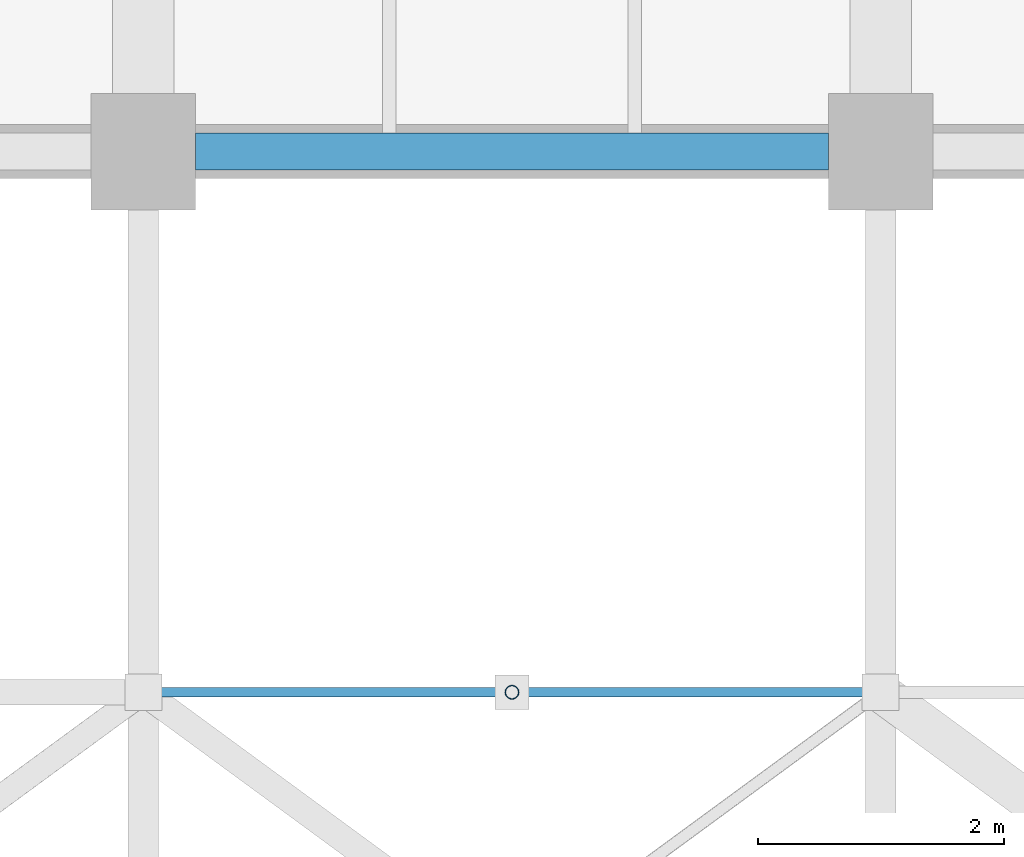
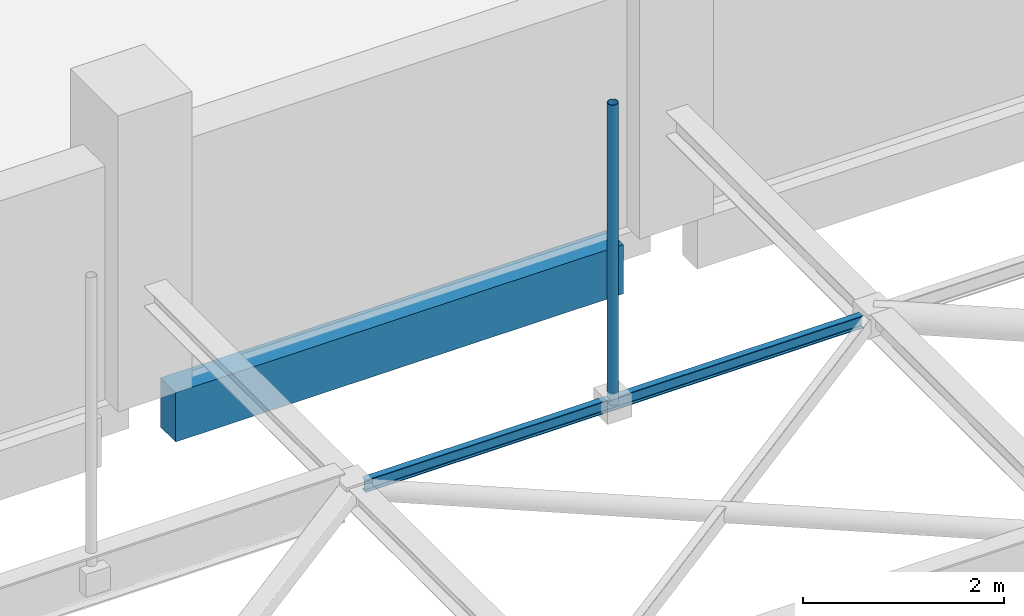
# One storey, part 52 of 93: 2 beams, 1 member.
"""IFC4 building model written with IfcOpenShell, lengths in metres."""

from ifc_helpers import new_model, si_unit, direction, frame, origin, origin_2d, place, context, subcontext, project, spatial, rectangle, hollow_circle, i_section, extrude, material, material_profile, profile_set, type_object, element, save


model = new_model("IFC4")

# Units and contexts
model_context = context("Model", 3, precision=1e-05, world=origin(), true_north=direction((0.0, 1.0)))
body_context = subcontext(model_context, "Body", "Model", "MODEL_VIEW")
ifc_project = project(units=[si_unit("LENGTHUNIT", "METRE"), si_unit("AREAUNIT", "SQUARE_METRE"), si_unit("VOLUMEUNIT", "CUBIC_METRE"), si_unit("PLANEANGLEUNIT", "RADIAN"), si_unit("MASSUNIT", "GRAM", prefix="KILO")], contexts=[model_context])

# Site, building, storey
site_placement = place(None, origin())
site = spatial("IfcSite", under=ifc_project, at=site_placement, CompositionType="ELEMENT")
building_placement = place(site_placement, origin())
building = spatial("IfcBuilding", under=site, at=building_placement, Name="Varnakota Cinema and Media Centre", CompositionType="ELEMENT")
storey_placement = place(building_placement, frame((0.0, 0.0, 12.0)))
storey = spatial("IfcBuildingStorey", under=building, at=storey_placement, Name="L03", CompositionType="ELEMENT", Elevation=12.0)

# Beams
ifc_material_1 = material(Name="Concrete M35", Category="concrete")
ifc_material_profile_1 = material_profile(ifc_material_1, rectangle(XDim=0.300048828125, YDim=0.60009765625, at=origin_2d()), Name="RCB 300x600")
ifc_profile_set_1 = profile_set([ifc_material_profile_1], Name="Concrete M35")
beam_type_1 = type_object("IfcBeamType", Name="BM-SP-300x600", PredefinedType="SPANDREL", material=ifc_profile_set_1)
beam_1_placement = place(storey_placement, frame((105.425048828125, 35.199951171875, -0.56005859375), z_axis=(1.0, 0.0, 0.0), x_axis=(0.0, 1.0, 0.0)))
element("IfcBeam", 1, at=beam_1_placement, inside=storey, type_object=beam_type_1, Name="L03 girder Q-R/5", PredefinedType="SPANDREL", context=body_context, shape_type="SweptSolid", body=[
    extrude(rectangle(XDim=0.300048828125, YDim=0.60009765625, at=origin_2d()), origin(), (0.0, 0.0, 1.0), 5.14990234375),
])
ifc_material_2 = material(Name="Structural steel Grade 350 (E350)", Category="steel")
ifc_material_profile_2 = material_profile(ifc_material_2, i_section(OverallWidth=0.074951171875, OverallDepth=0.14990234375, WebThickness=0.0048828125, FlangeThickness=0.008056640625, FilletRadius=0.009033203125, at=origin_2d()), Name="ISMB 150")
ifc_profile_set_2 = profile_set([ifc_material_profile_2], Name="Structural steel Grade 350 (E350)")
beam_type_2 = type_object("IfcBeamType", Name="BM-ST-ISMB150", PredefinedType="JOIST", material=ifc_profile_set_2)
beam_2_placement = place(storey_placement, frame((105.139892578125, 30.800048828125, 1.300048828125), z_axis=(1.0, 0.0, 0.0), x_axis=(0.0, 1.0, 0.0)))
element("IfcBeam", 2, at=beam_2_placement, inside=storey, type_object=beam_type_2, Name="V1 rigging beam 6.7", PredefinedType="JOIST", context=body_context, shape_type="SweptSolid", body=[
    extrude(i_section(OverallWidth=0.074951171875, OverallDepth=0.14990234375, WebThickness=0.0048828125, FlangeThickness=0.008056640625, FilletRadius=0.009033203125, at=origin_2d()), origin(), (0.0, 0.0, 1.0), 5.72021484375),
])

# Member
ifc_material_3 = material(Name="Structural steel S355 (YSt 355)", Category="steel")
ifc_material_profile_3 = material_profile(ifc_material_3, hollow_circle(Radius=0.05712890625, WallThickness=0.00537109375, at=origin_2d()), Name="CHS 114.3x5.4")
ifc_profile_set_3 = profile_set([ifc_material_profile_3], Name="Structural steel S355 (YSt 355)")
member_type = type_object("IfcMemberType", Name="MEM-ST-CHS114_3x5_4", PredefinedType="BRACE", material=ifc_profile_set_3)
member_placement = place(storey_placement, frame((108.0, 30.800048828125, 1.300048828125), z_axis=(0.0, 0.0, 1.0), x_axis=(1.0, 0.0, 0.0)))
element("IfcMember", 3, at=member_placement, inside=storey, type_object=member_type, Name="V1 rigging hanger 6.4", PredefinedType="BRACE", context=body_context, shape_type="SweptSolid", body=[
    extrude(hollow_circle(Radius=0.05712890625, WallThickness=0.00537109375, at=origin_2d()), origin(), (0.0, 0.0, 1.0), 3.64990234375),
])

save(model, "model.ifc")
